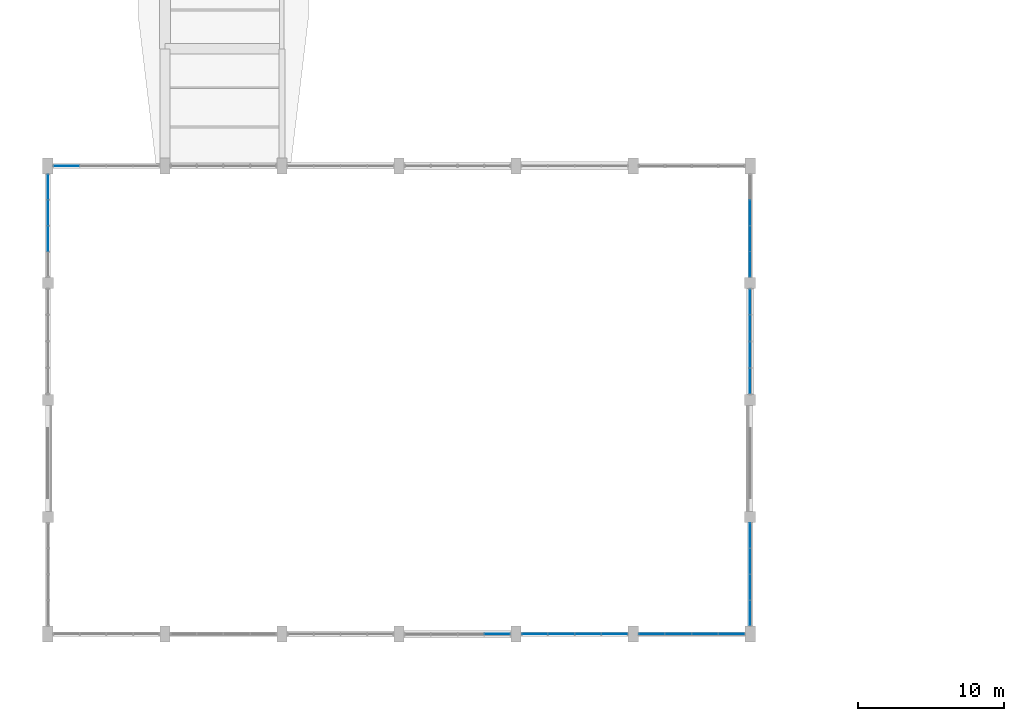
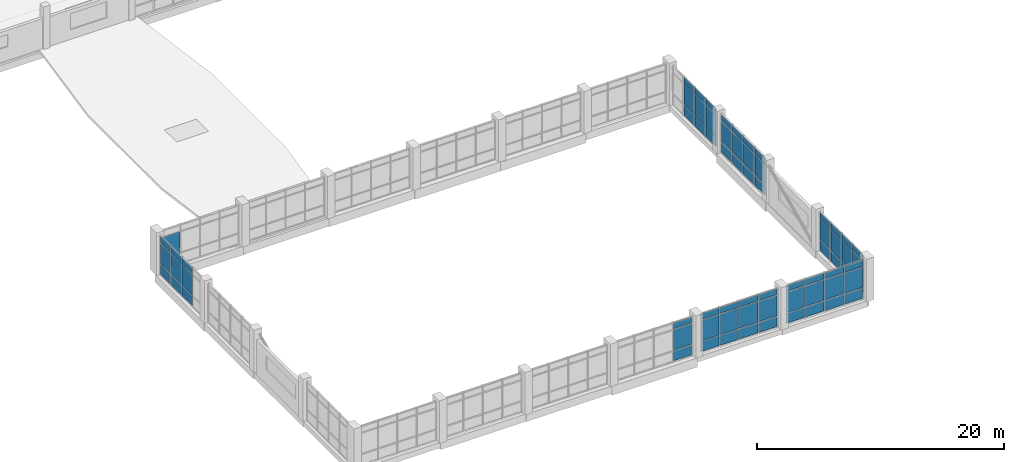
# One storey, part 48 of 72: 71 plates, 8 elements without a shape of their own.
"""IFC4 building model written with IfcOpenShell, lengths in metres."""

from ifc_helpers import new_model, si_unit, direction, frame, origin, origin_2d, place, context, subcontext, project, spatial, rectangle, extrude, material, layer, layer_set, type_object, element, aggregate, save


model = new_model("IFC4")

# Units and contexts
model_context = context("Model", 3, precision=1e-05, world=origin(), true_north=direction((0.0, 1.0)))
body_context = subcontext(model_context, "Body", "Model", "MODEL_VIEW")
ifc_project = project(units=[si_unit("LENGTHUNIT", "METRE"), si_unit("AREAUNIT", "SQUARE_METRE"), si_unit("VOLUMEUNIT", "CUBIC_METRE"), si_unit("PLANEANGLEUNIT", "RADIAN"), si_unit("MASSUNIT", "GRAM", prefix="KILO")], contexts=[model_context])

# Site, building, storey
site_placement = place(None, origin())
site = spatial("IfcSite", under=ifc_project, at=site_placement, CompositionType="ELEMENT")
building_placement = place(site_placement, origin())
building = spatial("IfcBuilding", under=site, at=building_placement, Name="Tenunan Teduh Sports Hall", CompositionType="ELEMENT")
storey_placement = place(building_placement, frame((0.0, 0.0, 15.0)))
storey = spatial("IfcBuildingStorey", under=building, at=storey_placement, Name="L03", CompositionType="ELEMENT", Elevation=15.0)

# Curtain wall, plates
ifc_material_1 = material(Name="Anodised aluminium", Category="aluminium")
curtain_wall_type = type_object("IfcCurtainWallType", Name="CW-UNIT-2", PredefinedType="NOTDEFINED", material=ifc_material_1)
curtain_wall_1_placement = place(storey_placement, origin())
curtain_wall_1 = element("IfcCurtainWall", 1, at=curtain_wall_1_placement, inside=storey, type_object=curtain_wall_type, Name="CW-CWM-200-L03-080", PredefinedType="NOTDEFINED")
ifc_material_2 = material(Name="Low-E laminated double glazing", Category="glass")
ifc_layer_1 = layer(ifc_material_2, 0.028076171875)
ifc_layer_set_1 = layer_set([ifc_layer_1], Name="Low-E laminated double glazing")
plate_type_1 = type_object("IfcPlateType", Name="CWP-GLZ-28", PredefinedType="CURTAIN_PANEL", material=ifc_layer_set_1)
plate_1_placement = place(storey_placement, frame((36.719970703125, 14.0, 1.134765625), z_axis=(0.0, 0.0, 1.0), x_axis=(1.0, 0.0, 0.0)))
plate_1 = element("IfcPlate", 2, at=plate_1_placement, type_object=plate_type_1, Name="CW-02 panel 4.2", PredefinedType="CURTAIN_PANEL", context=body_context, shape_type="SweptSolid", body=[
    extrude(rectangle(XDim=1.719970703125, YDim=0.028076171875, at=origin_2d()), origin(), (0.0, 0.0, 1.0), 2.030029296875),
])
plate_2_placement = place(storey_placement, frame((36.719970703125, 14.0, 3.23486328125), z_axis=(0.0, 0.0, 1.0), x_axis=(1.0, 0.0, 0.0)))
plate_2 = element("IfcPlate", 3, at=plate_2_placement, type_object=plate_type_1, Name="CW-02 panel 4.3", PredefinedType="CURTAIN_PANEL", context=body_context, shape_type="SweptSolid", body=[
    extrude(rectangle(XDim=1.719970703125, YDim=0.028076171875, at=origin_2d()), origin(), (0.0, 0.0, 1.0), 0.594970703125),
])

curtain_wall_2_placement = place(storey_placement, origin())
curtain_wall_2 = element("IfcCurtainWall", 4, at=curtain_wall_2_placement, inside=storey, type_object=curtain_wall_type, Name="CW-CWM-175-L03-082", PredefinedType="NOTDEFINED")
plate_3_placement = place(storey_placement, frame((39.27880859375, 14.0, 1.13232421875), z_axis=(0.0, 0.0, 1.0), x_axis=(1.0, 0.0, 0.0)))
plate_3 = element("IfcPlate", 5, at=plate_3_placement, type_object=plate_type_1, Name="CW-02 panel 1.2", PredefinedType="CURTAIN_PANEL", context=body_context, shape_type="SweptSolid", body=[
    extrude(rectangle(XDim=1.7275390625, YDim=0.028076171875, at=origin_2d()), origin(), (0.0, 0.0, 1.0), 2.034912109375),
])
plate_4_placement = place(storey_placement, frame((39.27880859375, 14.0, 3.232421875), z_axis=(0.0, 0.0, 1.0), x_axis=(1.0, 0.0, 0.0)))
plate_4 = element("IfcPlate", 6, at=plate_4_placement, type_object=plate_type_1, Name="CW-02 panel 1.3", PredefinedType="CURTAIN_PANEL", context=body_context, shape_type="SweptSolid", body=[
    extrude(rectangle(XDim=1.7275390625, YDim=0.028076171875, at=origin_2d()), origin(), (0.0, 0.0, 1.0), 0.6025390625),
])
plate_5_placement = place(storey_placement, frame((41.08740234375, 14.0, 1.13232421875), z_axis=(0.0, 0.0, 1.0), x_axis=(1.0, 0.0, 0.0)))
plate_5 = element("IfcPlate", 7, at=plate_5_placement, type_object=plate_type_1, Name="CW-02 panel 2.2", PredefinedType="CURTAIN_PANEL", context=body_context, shape_type="SweptSolid", body=[
    extrude(rectangle(XDim=1.760009765625, YDim=0.028076171875, at=origin_2d()), origin(), (0.0, 0.0, 1.0), 2.034912109375),
])
plate_6_placement = place(storey_placement, frame((41.08740234375, 14.0, 3.232421875), z_axis=(0.0, 0.0, 1.0), x_axis=(1.0, 0.0, 0.0)))
plate_6 = element("IfcPlate", 8, at=plate_6_placement, type_object=plate_type_1, Name="CW-02 panel 2.3", PredefinedType="CURTAIN_PANEL", context=body_context, shape_type="SweptSolid", body=[
    extrude(rectangle(XDim=1.760009765625, YDim=0.028076171875, at=origin_2d()), origin(), (0.0, 0.0, 1.0), 0.6025390625),
])
plate_7_placement = place(storey_placement, frame((42.91259765625, 14.0, 1.13232421875), z_axis=(0.0, 0.0, 1.0), x_axis=(1.0, 0.0, 0.0)))
plate_7 = element("IfcPlate", 9, at=plate_7_placement, type_object=plate_type_1, Name="CW-02 panel 3.2", PredefinedType="CURTAIN_PANEL", context=body_context, shape_type="SweptSolid", body=[
    extrude(rectangle(XDim=1.760009765625, YDim=0.028076171875, at=origin_2d()), origin(), (0.0, 0.0, 1.0), 2.034912109375),
])
plate_8_placement = place(storey_placement, frame((42.91259765625, 14.0, 3.232421875), z_axis=(0.0, 0.0, 1.0), x_axis=(1.0, 0.0, 0.0)))
plate_8 = element("IfcPlate", 10, at=plate_8_placement, type_object=plate_type_1, Name="CW-02 panel 3.3", PredefinedType="CURTAIN_PANEL", context=body_context, shape_type="SweptSolid", body=[
    extrude(rectangle(XDim=1.760009765625, YDim=0.028076171875, at=origin_2d()), origin(), (0.0, 0.0, 1.0), 0.6025390625),
])
plate_9_placement = place(storey_placement, frame((44.72119140625, 14.0, 1.13232421875), z_axis=(0.0, 0.0, 1.0), x_axis=(1.0, 0.0, 0.0)))
plate_9 = element("IfcPlate", 11, at=plate_9_placement, type_object=plate_type_1, Name="CW-02 panel 4.2", PredefinedType="CURTAIN_PANEL", context=body_context, shape_type="SweptSolid", body=[
    extrude(rectangle(XDim=1.7275390625, YDim=0.028076171875, at=origin_2d()), origin(), (0.0, 0.0, 1.0), 2.034912109375),
])
plate_10_placement = place(storey_placement, frame((44.72119140625, 14.0, 3.232421875), z_axis=(0.0, 0.0, 1.0), x_axis=(1.0, 0.0, 0.0)))
plate_10 = element("IfcPlate", 12, at=plate_10_placement, type_object=plate_type_1, Name="CW-02 panel 4.3", PredefinedType="CURTAIN_PANEL", context=body_context, shape_type="SweptSolid", body=[
    extrude(rectangle(XDim=1.7275390625, YDim=0.028076171875, at=origin_2d()), origin(), (0.0, 0.0, 1.0), 0.6025390625),
])

curtain_wall_3_placement = place(storey_placement, origin())
curtain_wall_3 = element("IfcCurtainWall", 13, at=curtain_wall_3_placement, inside=storey, type_object=curtain_wall_type, Name="CW-CWM-200-L03-084", PredefinedType="NOTDEFINED")
plate_11_placement = place(storey_placement, frame((47.280029296875, 14.0, 1.134765625), z_axis=(0.0, 0.0, 1.0), x_axis=(1.0, 0.0, 0.0)))
plate_11 = element("IfcPlate", 14, at=plate_11_placement, type_object=plate_type_1, Name="CW-02 panel 1.2", PredefinedType="CURTAIN_PANEL", context=body_context, shape_type="SweptSolid", body=[
    extrude(rectangle(XDim=1.719970703125, YDim=0.028076171875, at=origin_2d()), origin(), (0.0, 0.0, 1.0), 2.030029296875),
])
plate_12_placement = place(storey_placement, frame((47.280029296875, 14.0, 3.23486328125), z_axis=(0.0, 0.0, 1.0), x_axis=(1.0, 0.0, 0.0)))
plate_12 = element("IfcPlate", 15, at=plate_12_placement, type_object=plate_type_1, Name="CW-02 panel 1.3", PredefinedType="CURTAIN_PANEL", context=body_context, shape_type="SweptSolid", body=[
    extrude(rectangle(XDim=1.719970703125, YDim=0.028076171875, at=origin_2d()), origin(), (0.0, 0.0, 1.0), 0.594970703125),
])
plate_13_placement = place(storey_placement, frame((49.08740234375, 14.0, 1.134765625), z_axis=(0.0, 0.0, 1.0), x_axis=(1.0, 0.0, 0.0)))
plate_13 = element("IfcPlate", 16, at=plate_13_placement, type_object=plate_type_1, Name="CW-02 panel 2.2", PredefinedType="CURTAIN_PANEL", context=body_context, shape_type="SweptSolid", body=[
    extrude(rectangle(XDim=1.7548828125, YDim=0.028076171875, at=origin_2d()), origin(), (0.0, 0.0, 1.0), 2.030029296875),
])
plate_14_placement = place(storey_placement, frame((49.08740234375, 14.0, 3.23486328125), z_axis=(0.0, 0.0, 1.0), x_axis=(1.0, 0.0, 0.0)))
plate_14 = element("IfcPlate", 17, at=plate_14_placement, type_object=plate_type_1, Name="CW-02 panel 2.3", PredefinedType="CURTAIN_PANEL", context=body_context, shape_type="SweptSolid", body=[
    extrude(rectangle(XDim=1.7548828125, YDim=0.028076171875, at=origin_2d()), origin(), (0.0, 0.0, 1.0), 0.594970703125),
])
plate_15_placement = place(storey_placement, frame((50.91259765625, 14.0, 1.134765625), z_axis=(0.0, 0.0, 1.0), x_axis=(1.0, 0.0, 0.0)))
plate_15 = element("IfcPlate", 18, at=plate_15_placement, type_object=plate_type_1, Name="CW-02 panel 3.2", PredefinedType="CURTAIN_PANEL", context=body_context, shape_type="SweptSolid", body=[
    extrude(rectangle(XDim=1.7548828125, YDim=0.028076171875, at=origin_2d()), origin(), (0.0, 0.0, 1.0), 2.030029296875),
])
plate_16_placement = place(storey_placement, frame((50.91259765625, 14.0, 3.23486328125), z_axis=(0.0, 0.0, 1.0), x_axis=(1.0, 0.0, 0.0)))
plate_16 = element("IfcPlate", 19, at=plate_16_placement, type_object=plate_type_1, Name="CW-02 panel 3.3", PredefinedType="CURTAIN_PANEL", context=body_context, shape_type="SweptSolid", body=[
    extrude(rectangle(XDim=1.7548828125, YDim=0.028076171875, at=origin_2d()), origin(), (0.0, 0.0, 1.0), 0.594970703125),
])
plate_17_placement = place(storey_placement, frame((52.719970703125, 14.0, 1.134765625), z_axis=(0.0, 0.0, 1.0), x_axis=(1.0, 0.0, 0.0)))
plate_17 = element("IfcPlate", 20, at=plate_17_placement, type_object=plate_type_1, Name="CW-02 panel 4.2", PredefinedType="CURTAIN_PANEL", context=body_context, shape_type="SweptSolid", body=[
    extrude(rectangle(XDim=1.719970703125, YDim=0.028076171875, at=origin_2d()), origin(), (0.0, 0.0, 1.0), 2.030029296875),
])
plate_18_placement = place(storey_placement, frame((52.719970703125, 14.0, 3.23486328125), z_axis=(0.0, 0.0, 1.0), x_axis=(1.0, 0.0, 0.0)))
plate_18 = element("IfcPlate", 21, at=plate_18_placement, type_object=plate_type_1, Name="CW-02 panel 4.3", PredefinedType="CURTAIN_PANEL", context=body_context, shape_type="SweptSolid", body=[
    extrude(rectangle(XDim=1.719970703125, YDim=0.028076171875, at=origin_2d()), origin(), (0.0, 0.0, 1.0), 0.594970703125),
])

curtain_wall_4_placement = place(storey_placement, origin())
curtain_wall_4 = element("IfcCurtainWall", 22, at=curtain_wall_4_placement, inside=storey, type_object=curtain_wall_type, Name="CW-CWM-175-L03-090", PredefinedType="NOTDEFINED")
plate_19_placement = place(storey_placement, frame((6.0, 41.028076171875, 1.13232421875), z_axis=(0.0, 0.0, 1.0), x_axis=(0.0, 1.0, 0.0)))
plate_19 = element("IfcPlate", 23, at=plate_19_placement, type_object=plate_type_1, Name="CW-02 panel 2.2", PredefinedType="CURTAIN_PANEL", context=body_context, shape_type="SweptSolid", body=[
    extrude(rectangle(XDim=1.703857421875, YDim=0.028076171875, at=origin_2d()), origin(), (0.0, 0.0, 1.0), 2.034912109375),
])
plate_20_placement = place(storey_placement, frame((6.0, 41.028076171875, 3.232421875), z_axis=(0.0, 0.0, 1.0), x_axis=(0.0, 1.0, 0.0)))
plate_20 = element("IfcPlate", 24, at=plate_20_placement, type_object=plate_type_1, Name="CW-02 panel 2.3", PredefinedType="CURTAIN_PANEL", context=body_context, shape_type="SweptSolid", body=[
    extrude(rectangle(XDim=1.703857421875, YDim=0.028076171875, at=origin_2d()), origin(), (0.0, 0.0, 1.0), 0.6025390625),
])
plate_21_placement = place(storey_placement, frame((6.0, 42.796875, 1.13232421875), z_axis=(0.0, 0.0, 1.0), x_axis=(0.0, 1.0, 0.0)))
plate_21 = element("IfcPlate", 25, at=plate_21_placement, type_object=plate_type_1, Name="CW-02 panel 3.2", PredefinedType="CURTAIN_PANEL", context=body_context, shape_type="SweptSolid", body=[
    extrude(rectangle(XDim=1.703857421875, YDim=0.028076171875, at=origin_2d()), origin(), (0.0, 0.0, 1.0), 2.034912109375),
])
plate_22_placement = place(storey_placement, frame((6.0, 42.796875, 3.232421875), z_axis=(0.0, 0.0, 1.0), x_axis=(0.0, 1.0, 0.0)))
plate_22 = element("IfcPlate", 26, at=plate_22_placement, type_object=plate_type_1, Name="CW-02 panel 3.3", PredefinedType="CURTAIN_PANEL", context=body_context, shape_type="SweptSolid", body=[
    extrude(rectangle(XDim=1.703857421875, YDim=0.028076171875, at=origin_2d()), origin(), (0.0, 0.0, 1.0), 0.6025390625),
])
plate_23_placement = place(storey_placement, frame((6.0, 44.54931640625, 1.13232421875), z_axis=(0.0, 0.0, 1.0), x_axis=(0.0, 1.0, 0.0)))
plate_23 = element("IfcPlate", 27, at=plate_23_placement, type_object=plate_type_1, Name="CW-02 panel 4.2", PredefinedType="CURTAIN_PANEL", context=body_context, shape_type="SweptSolid", body=[
    extrude(rectangle(XDim=1.671142578125, YDim=0.028076171875, at=origin_2d()), origin(), (0.0, 0.0, 1.0), 2.034912109375),
])
plate_24_placement = place(storey_placement, frame((6.0, 44.54931640625, 3.232421875), z_axis=(0.0, 0.0, 1.0), x_axis=(0.0, 1.0, 0.0)))
plate_24 = element("IfcPlate", 28, at=plate_24_placement, type_object=plate_type_1, Name="CW-02 panel 4.3", PredefinedType="CURTAIN_PANEL", context=body_context, shape_type="SweptSolid", body=[
    extrude(rectangle(XDim=1.671142578125, YDim=0.028076171875, at=origin_2d()), origin(), (0.0, 0.0, 1.0), 0.6025390625),
])

# Curtain wall, plate
curtain_wall_5_placement = place(storey_placement, origin())
curtain_wall_5 = element("IfcCurtainWall", 29, at=curtain_wall_5_placement, inside=storey, type_object=curtain_wall_type, Name="CW-CWM-150-L03-075", PredefinedType="NOTDEFINED")
ifc_material_3 = material(Name="Solar-control laminated glazing", Category="glass")
ifc_layer_2 = layer(ifc_material_3, 0.031982421875)
ifc_layer_set_2 = layer_set([ifc_layer_2], Name="Solar-control laminated glazing")
plate_type_2 = type_object("IfcPlateType", Name="CWP-GLZ-32", PredefinedType="CURTAIN_PANEL", material=ifc_layer_set_2)
plate_25_placement = place(storey_placement, frame((7.277587890625, 46.0, 1.1298828125), z_axis=(0.0, 0.0, 1.0), x_axis=(1.0, 0.0, 0.0)))
plate_25 = element("IfcPlate", 30, at=plate_25_placement, type_object=plate_type_2, Name="CW-02 panel 1.2", PredefinedType="CURTAIN_PANEL", context=body_context, shape_type="SweptSolid", body=[
    extrude(rectangle(XDim=1.735107421875, YDim=0.031982421875, at=origin_2d()), origin(), (0.0, 0.0, 1.0), 2.0400390625),
])

# Curtain wall, plates
curtain_wall_6_placement = place(storey_placement, origin())
curtain_wall_6 = element("IfcCurtainWall", 31, at=curtain_wall_6_placement, inside=storey, type_object=curtain_wall_type, Name="CW-CWM-150-L03-087", PredefinedType="NOTDEFINED")
plate_26_placement = place(storey_placement, frame((54.0, 15.449462890625, 1.1298828125), z_axis=(0.0, 0.0, 1.0), x_axis=(0.0, 1.0, 0.0)))
plate_26 = element("IfcPlate", 32, at=plate_26_placement, type_object=plate_type_2, Name="CW-02 panel 1.2", PredefinedType="CURTAIN_PANEL", context=body_context, shape_type="SweptSolid", body=[
    extrude(rectangle(XDim=1.6787109375, YDim=0.031982421875, at=origin_2d()), origin(), (0.0, 0.0, 1.0), 2.0400390625),
])
plate_27_placement = place(storey_placement, frame((54.0, 15.449462890625, 3.22998046875), z_axis=(0.0, 0.0, 1.0), x_axis=(0.0, 1.0, 0.0)))
plate_27 = element("IfcPlate", 33, at=plate_27_placement, type_object=plate_type_2, Name="CW-02 panel 1.3", PredefinedType="CURTAIN_PANEL", context=body_context, shape_type="SweptSolid", body=[
    extrude(rectangle(XDim=1.6787109375, YDim=0.031982421875, at=origin_2d()), origin(), (0.0, 0.0, 1.0), 0.610107421875),
])
plate_28_placement = place(storey_placement, frame((54.0, 17.203125, 1.1298828125), z_axis=(0.0, 0.0, 1.0), x_axis=(0.0, 1.0, 0.0)))
plate_28 = element("IfcPlate", 34, at=plate_28_placement, type_object=plate_type_2, Name="CW-02 panel 2.2", PredefinedType="CURTAIN_PANEL", context=body_context, shape_type="SweptSolid", body=[
    extrude(rectangle(XDim=1.708740234375, YDim=0.031982421875, at=origin_2d()), origin(), (0.0, 0.0, 1.0), 2.0400390625),
])
plate_29_placement = place(storey_placement, frame((54.0, 17.203125, 3.22998046875), z_axis=(0.0, 0.0, 1.0), x_axis=(0.0, 1.0, 0.0)))
plate_29 = element("IfcPlate", 35, at=plate_29_placement, type_object=plate_type_2, Name="CW-02 panel 2.3", PredefinedType="CURTAIN_PANEL", context=body_context, shape_type="SweptSolid", body=[
    extrude(rectangle(XDim=1.708740234375, YDim=0.031982421875, at=origin_2d()), origin(), (0.0, 0.0, 1.0), 0.610107421875),
])
plate_30_placement = place(storey_placement, frame((54.0, 18.971923828125, 1.1298828125), z_axis=(0.0, 0.0, 1.0), x_axis=(0.0, 1.0, 0.0)))
plate_30 = element("IfcPlate", 36, at=plate_30_placement, type_object=plate_type_2, Name="CW-02 panel 3.2", PredefinedType="CURTAIN_PANEL", context=body_context, shape_type="SweptSolid", body=[
    extrude(rectangle(XDim=1.708740234375, YDim=0.031982421875, at=origin_2d()), origin(), (0.0, 0.0, 1.0), 2.0400390625),
])
plate_31_placement = place(storey_placement, frame((54.0, 18.971923828125, 3.22998046875), z_axis=(0.0, 0.0, 1.0), x_axis=(0.0, 1.0, 0.0)))
plate_31 = element("IfcPlate", 37, at=plate_31_placement, type_object=plate_type_2, Name="CW-02 panel 3.3", PredefinedType="CURTAIN_PANEL", context=body_context, shape_type="SweptSolid", body=[
    extrude(rectangle(XDim=1.708740234375, YDim=0.031982421875, at=origin_2d()), origin(), (0.0, 0.0, 1.0), 0.610107421875),
])
plate_32_placement = place(storey_placement, frame((54.0, 20.7255859375, 1.1298828125), z_axis=(0.0, 0.0, 1.0), x_axis=(0.0, 1.0, 0.0)))
plate_32 = element("IfcPlate", 38, at=plate_32_placement, type_object=plate_type_2, Name="CW-02 panel 4.2", PredefinedType="CURTAIN_PANEL", context=body_context, shape_type="SweptSolid", body=[
    extrude(rectangle(XDim=1.6787109375, YDim=0.031982421875, at=origin_2d()), origin(), (0.0, 0.0, 1.0), 2.0400390625),
])
plate_33_placement = place(storey_placement, frame((54.0, 20.7255859375, 3.22998046875), z_axis=(0.0, 0.0, 1.0), x_axis=(0.0, 1.0, 0.0)))
plate_33 = element("IfcPlate", 39, at=plate_33_placement, type_object=plate_type_2, Name="CW-02 panel 4.3", PredefinedType="CURTAIN_PANEL", context=body_context, shape_type="SweptSolid", body=[
    extrude(rectangle(XDim=1.6787109375, YDim=0.031982421875, at=origin_2d()), origin(), (0.0, 0.0, 1.0), 0.610107421875),
])

curtain_wall_7_placement = place(storey_placement, origin())
curtain_wall_7 = element("IfcCurtainWall", 40, at=curtain_wall_7_placement, inside=storey, type_object=curtain_wall_type, Name="CW-CWM-220-L03-089", PredefinedType="NOTDEFINED")
plate_34_placement = place(storey_placement, frame((54.0, 31.300048828125, 1.137451171875), z_axis=(0.0, 0.0, 1.0), x_axis=(0.0, 1.0, 0.0)))
plate_34 = element("IfcPlate", 41, at=plate_34_placement, type_object=plate_type_2, Name="CW-02 panel 1.2", PredefinedType="CURTAIN_PANEL", context=body_context, shape_type="SweptSolid", body=[
    extrude(rectangle(XDim=1.699951171875, YDim=0.031982421875, at=origin_2d()), origin(), (0.0, 0.0, 1.0), 2.02490234375),
])
plate_35_placement = place(storey_placement, frame((54.0, 31.300048828125, 3.237548828125), z_axis=(0.0, 0.0, 1.0), x_axis=(0.0, 1.0, 0.0)))
plate_35 = element("IfcPlate", 42, at=plate_35_placement, type_object=plate_type_2, Name="CW-02 panel 1.3", PredefinedType="CURTAIN_PANEL", context=body_context, shape_type="SweptSolid", body=[
    extrude(rectangle(XDim=1.699951171875, YDim=0.031982421875, at=origin_2d()), origin(), (0.0, 0.0, 1.0), 0.58740234375),
])
plate_36_placement = place(storey_placement, frame((54.0, 33.09375, 1.137451171875), z_axis=(0.0, 0.0, 1.0), x_axis=(0.0, 1.0, 0.0)))
plate_36 = element("IfcPlate", 43, at=plate_36_placement, type_object=plate_type_2, Name="CW-02 panel 2.2", PredefinedType="CURTAIN_PANEL", context=body_context, shape_type="SweptSolid", body=[
    extrude(rectangle(XDim=1.737548828125, YDim=0.031982421875, at=origin_2d()), origin(), (0.0, 0.0, 1.0), 2.02490234375),
])
plate_37_placement = place(storey_placement, frame((54.0, 33.09375, 3.237548828125), z_axis=(0.0, 0.0, 1.0), x_axis=(0.0, 1.0, 0.0)))
plate_37 = element("IfcPlate", 44, at=plate_37_placement, type_object=plate_type_2, Name="CW-02 panel 2.3", PredefinedType="CURTAIN_PANEL", context=body_context, shape_type="SweptSolid", body=[
    extrude(rectangle(XDim=1.737548828125, YDim=0.031982421875, at=origin_2d()), origin(), (0.0, 0.0, 1.0), 0.58740234375),
])
plate_38_placement = place(storey_placement, frame((54.0, 34.90625, 1.137451171875), z_axis=(0.0, 0.0, 1.0), x_axis=(0.0, 1.0, 0.0)))
plate_38 = element("IfcPlate", 45, at=plate_38_placement, type_object=plate_type_2, Name="CW-02 panel 3.2", PredefinedType="CURTAIN_PANEL", context=body_context, shape_type="SweptSolid", body=[
    extrude(rectangle(XDim=1.737548828125, YDim=0.031982421875, at=origin_2d()), origin(), (0.0, 0.0, 1.0), 2.02490234375),
])
plate_39_placement = place(storey_placement, frame((54.0, 34.90625, 3.237548828125), z_axis=(0.0, 0.0, 1.0), x_axis=(0.0, 1.0, 0.0)))
plate_39 = element("IfcPlate", 46, at=plate_39_placement, type_object=plate_type_2, Name="CW-02 panel 3.3", PredefinedType="CURTAIN_PANEL", context=body_context, shape_type="SweptSolid", body=[
    extrude(rectangle(XDim=1.737548828125, YDim=0.031982421875, at=origin_2d()), origin(), (0.0, 0.0, 1.0), 0.58740234375),
])
plate_40_placement = place(storey_placement, frame((54.0, 36.699951171875, 1.137451171875), z_axis=(0.0, 0.0, 1.0), x_axis=(0.0, 1.0, 0.0)))
plate_40 = element("IfcPlate", 47, at=plate_40_placement, type_object=plate_type_2, Name="CW-02 panel 4.2", PredefinedType="CURTAIN_PANEL", context=body_context, shape_type="SweptSolid", body=[
    extrude(rectangle(XDim=1.699951171875, YDim=0.031982421875, at=origin_2d()), origin(), (0.0, 0.0, 1.0), 2.02490234375),
])
plate_41_placement = place(storey_placement, frame((54.0, 36.699951171875, 3.237548828125), z_axis=(0.0, 0.0, 1.0), x_axis=(0.0, 1.0, 0.0)))
plate_41 = element("IfcPlate", 48, at=plate_41_placement, type_object=plate_type_2, Name="CW-02 panel 4.3", PredefinedType="CURTAIN_PANEL", context=body_context, shape_type="SweptSolid", body=[
    extrude(rectangle(XDim=1.699951171875, YDim=0.031982421875, at=origin_2d()), origin(), (0.0, 0.0, 1.0), 0.58740234375),
])

curtain_wall_8_placement = place(storey_placement, origin())
curtain_wall_8 = element("IfcCurtainWall", 49, at=curtain_wall_8_placement, inside=storey, type_object=curtain_wall_type, Name="CW-CWM-150-L03-091", PredefinedType="NOTDEFINED")
plate_42_placement = place(storey_placement, frame((54.0, 39.2744140625, 1.1298828125), z_axis=(0.0, 0.0, 1.0), x_axis=(0.0, 1.0, 0.0)))
plate_42 = element("IfcPlate", 50, at=plate_42_placement, type_object=plate_type_2, Name="CW-02 panel 1.2", PredefinedType="CURTAIN_PANEL", context=body_context, shape_type="SweptSolid", body=[
    extrude(rectangle(XDim=1.6787109375, YDim=0.031982421875, at=origin_2d()), origin(), (0.0, 0.0, 1.0), 2.0400390625),
])
plate_43_placement = place(storey_placement, frame((54.0, 39.2744140625, 3.22998046875), z_axis=(0.0, 0.0, 1.0), x_axis=(0.0, 1.0, 0.0)))
plate_43 = element("IfcPlate", 51, at=plate_43_placement, type_object=plate_type_2, Name="CW-02 panel 1.3", PredefinedType="CURTAIN_PANEL", context=body_context, shape_type="SweptSolid", body=[
    extrude(rectangle(XDim=1.6787109375, YDim=0.031982421875, at=origin_2d()), origin(), (0.0, 0.0, 1.0), 0.610107421875),
])
plate_44_placement = place(storey_placement, frame((54.0, 41.028076171875, 1.1298828125), z_axis=(0.0, 0.0, 1.0), x_axis=(0.0, 1.0, 0.0)))
plate_44 = element("IfcPlate", 52, at=plate_44_placement, type_object=plate_type_2, Name="CW-02 panel 2.2", PredefinedType="CURTAIN_PANEL", context=body_context, shape_type="SweptSolid", body=[
    extrude(rectangle(XDim=1.708740234375, YDim=0.031982421875, at=origin_2d()), origin(), (0.0, 0.0, 1.0), 2.0400390625),
])
plate_45_placement = place(storey_placement, frame((54.0, 41.028076171875, 3.22998046875), z_axis=(0.0, 0.0, 1.0), x_axis=(0.0, 1.0, 0.0)))
plate_45 = element("IfcPlate", 53, at=plate_45_placement, type_object=plate_type_2, Name="CW-02 panel 2.3", PredefinedType="CURTAIN_PANEL", context=body_context, shape_type="SweptSolid", body=[
    extrude(rectangle(XDim=1.708740234375, YDim=0.031982421875, at=origin_2d()), origin(), (0.0, 0.0, 1.0), 0.610107421875),
])
plate_46_placement = place(storey_placement, frame((54.0, 42.796875, 1.1298828125), z_axis=(0.0, 0.0, 1.0), x_axis=(0.0, 1.0, 0.0)))
plate_46 = element("IfcPlate", 54, at=plate_46_placement, type_object=plate_type_2, Name="CW-02 panel 3.2", PredefinedType="CURTAIN_PANEL", context=body_context, shape_type="SweptSolid", body=[
    extrude(rectangle(XDim=1.708740234375, YDim=0.031982421875, at=origin_2d()), origin(), (0.0, 0.0, 1.0), 2.0400390625),
])
plate_47_placement = place(storey_placement, frame((54.0, 42.796875, 3.22998046875), z_axis=(0.0, 0.0, 1.0), x_axis=(0.0, 1.0, 0.0)))
plate_47 = element("IfcPlate", 55, at=plate_47_placement, type_object=plate_type_2, Name="CW-02 panel 3.3", PredefinedType="CURTAIN_PANEL", context=body_context, shape_type="SweptSolid", body=[
    extrude(rectangle(XDim=1.708740234375, YDim=0.031982421875, at=origin_2d()), origin(), (0.0, 0.0, 1.0), 0.610107421875),
])

# Plate
ifc_material_4 = material(Name="Insulated aluminium spandrel panel", Category="aluminium")
ifc_layer_3 = layer(ifc_material_4, 0.044921875)
ifc_layer_set_3 = layer_set([ifc_layer_3], Name="Insulated aluminium spandrel panel")
plate_type_3 = type_object("IfcPlateType", Name="CWP-SPN-45", PredefinedType="CURTAIN_PANEL", material=ifc_layer_set_3)
plate_48_placement = place(storey_placement, frame((7.277587890625, 46.0, 0.06005859375), z_axis=(0.0, 0.0, 1.0), x_axis=(1.0, 0.0, 0.0)))
plate_48 = element("IfcPlate", 56, at=plate_48_placement, type_object=plate_type_3, Name="CW-02 panel 1.1", PredefinedType="CURTAIN_PANEL", context=body_context, shape_type="SweptSolid", body=[
    extrude(rectangle(XDim=1.735107421875, YDim=0.031982421875, at=origin_2d()), origin(), (0.0, 0.0, 1.0), 1.010009765625),
])

aggregate(curtain_wall_5, [plate_48, plate_25])

plate_49_placement = place(storey_placement, frame((36.719970703125, 14.0, 0.06982421875), z_axis=(0.0, 0.0, 1.0), x_axis=(1.0, 0.0, 0.0)))
plate_49 = element("IfcPlate", 57, at=plate_49_placement, type_object=plate_type_3, Name="CW-02 panel 4.1", PredefinedType="CURTAIN_PANEL", context=body_context, shape_type="SweptSolid", body=[
    extrude(rectangle(XDim=1.719970703125, YDim=0.028076171875, at=origin_2d()), origin(), (0.0, 0.0, 1.0), 0.9951171875),
])

aggregate(curtain_wall_1, [plate_49, plate_1, plate_2])

plate_50_placement = place(storey_placement, frame((39.27880859375, 14.0, 0.06494140625), z_axis=(0.0, 0.0, 1.0), x_axis=(1.0, 0.0, 0.0)))
plate_50 = element("IfcPlate", 58, at=plate_50_placement, type_object=plate_type_3, Name="CW-02 panel 1.1", PredefinedType="CURTAIN_PANEL", context=body_context, shape_type="SweptSolid", body=[
    extrude(rectangle(XDim=1.7275390625, YDim=0.028076171875, at=origin_2d()), origin(), (0.0, 0.0, 1.0), 1.00244140625),
])

plate_51_placement = place(storey_placement, frame((41.08740234375, 14.0, 0.06494140625), z_axis=(0.0, 0.0, 1.0), x_axis=(1.0, 0.0, 0.0)))
plate_51 = element("IfcPlate", 59, at=plate_51_placement, type_object=plate_type_3, Name="CW-02 panel 2.1", PredefinedType="CURTAIN_PANEL", context=body_context, shape_type="SweptSolid", body=[
    extrude(rectangle(XDim=1.760009765625, YDim=0.028076171875, at=origin_2d()), origin(), (0.0, 0.0, 1.0), 1.00244140625),
])

plate_52_placement = place(storey_placement, frame((42.91259765625, 14.0, 0.06494140625), z_axis=(0.0, 0.0, 1.0), x_axis=(1.0, 0.0, 0.0)))
plate_52 = element("IfcPlate", 60, at=plate_52_placement, type_object=plate_type_3, Name="CW-02 panel 3.1", PredefinedType="CURTAIN_PANEL", context=body_context, shape_type="SweptSolid", body=[
    extrude(rectangle(XDim=1.760009765625, YDim=0.028076171875, at=origin_2d()), origin(), (0.0, 0.0, 1.0), 1.00244140625),
])

plate_53_placement = place(storey_placement, frame((44.72119140625, 14.0, 0.06494140625), z_axis=(0.0, 0.0, 1.0), x_axis=(1.0, 0.0, 0.0)))
plate_53 = element("IfcPlate", 61, at=plate_53_placement, type_object=plate_type_3, Name="CW-02 panel 4.1", PredefinedType="CURTAIN_PANEL", context=body_context, shape_type="SweptSolid", body=[
    extrude(rectangle(XDim=1.7275390625, YDim=0.028076171875, at=origin_2d()), origin(), (0.0, 0.0, 1.0), 1.00244140625),
])

aggregate(curtain_wall_2, [plate_50, plate_3, plate_4, plate_51, plate_5, plate_6, plate_52, plate_7, plate_8, plate_53, plate_9, plate_10])

plate_54_placement = place(storey_placement, frame((47.280029296875, 14.0, 0.06982421875), z_axis=(0.0, 0.0, 1.0), x_axis=(1.0, 0.0, 0.0)))
plate_54 = element("IfcPlate", 62, at=plate_54_placement, type_object=plate_type_3, Name="CW-02 panel 1.1", PredefinedType="CURTAIN_PANEL", context=body_context, shape_type="SweptSolid", body=[
    extrude(rectangle(XDim=1.719970703125, YDim=0.028076171875, at=origin_2d()), origin(), (0.0, 0.0, 1.0), 0.9951171875),
])

plate_55_placement = place(storey_placement, frame((49.08740234375, 14.0, 0.06982421875), z_axis=(0.0, 0.0, 1.0), x_axis=(1.0, 0.0, 0.0)))
plate_55 = element("IfcPlate", 63, at=plate_55_placement, type_object=plate_type_3, Name="CW-02 panel 2.1", PredefinedType="CURTAIN_PANEL", context=body_context, shape_type="SweptSolid", body=[
    extrude(rectangle(XDim=1.7548828125, YDim=0.028076171875, at=origin_2d()), origin(), (0.0, 0.0, 1.0), 0.9951171875),
])

plate_56_placement = place(storey_placement, frame((50.91259765625, 14.0, 0.06982421875), z_axis=(0.0, 0.0, 1.0), x_axis=(1.0, 0.0, 0.0)))
plate_56 = element("IfcPlate", 64, at=plate_56_placement, type_object=plate_type_3, Name="CW-02 panel 3.1", PredefinedType="CURTAIN_PANEL", context=body_context, shape_type="SweptSolid", body=[
    extrude(rectangle(XDim=1.7548828125, YDim=0.028076171875, at=origin_2d()), origin(), (0.0, 0.0, 1.0), 0.9951171875),
])

plate_57_placement = place(storey_placement, frame((52.719970703125, 14.0, 0.06982421875), z_axis=(0.0, 0.0, 1.0), x_axis=(1.0, 0.0, 0.0)))
plate_57 = element("IfcPlate", 65, at=plate_57_placement, type_object=plate_type_3, Name="CW-02 panel 4.1", PredefinedType="CURTAIN_PANEL", context=body_context, shape_type="SweptSolid", body=[
    extrude(rectangle(XDim=1.719970703125, YDim=0.028076171875, at=origin_2d()), origin(), (0.0, 0.0, 1.0), 0.9951171875),
])

aggregate(curtain_wall_3, [plate_54, plate_11, plate_12, plate_55, plate_13, plate_14, plate_56, plate_15, plate_16, plate_57, plate_17, plate_18])

plate_58_placement = place(storey_placement, frame((54.0, 15.449462890625, 0.06005859375), z_axis=(0.0, 0.0, 1.0), x_axis=(0.0, 1.0, 0.0)))
plate_58 = element("IfcPlate", 66, at=plate_58_placement, type_object=plate_type_3, Name="CW-02 panel 1.1", PredefinedType="CURTAIN_PANEL", context=body_context, shape_type="SweptSolid", body=[
    extrude(rectangle(XDim=1.6787109375, YDim=0.031982421875, at=origin_2d()), origin(), (0.0, 0.0, 1.0), 1.010009765625),
])

plate_59_placement = place(storey_placement, frame((54.0, 17.203125, 0.06005859375), z_axis=(0.0, 0.0, 1.0), x_axis=(0.0, 1.0, 0.0)))
plate_59 = element("IfcPlate", 67, at=plate_59_placement, type_object=plate_type_3, Name="CW-02 panel 2.1", PredefinedType="CURTAIN_PANEL", context=body_context, shape_type="SweptSolid", body=[
    extrude(rectangle(XDim=1.708740234375, YDim=0.031982421875, at=origin_2d()), origin(), (0.0, 0.0, 1.0), 1.010009765625),
])

plate_60_placement = place(storey_placement, frame((54.0, 18.971923828125, 0.06005859375), z_axis=(0.0, 0.0, 1.0), x_axis=(0.0, 1.0, 0.0)))
plate_60 = element("IfcPlate", 68, at=plate_60_placement, type_object=plate_type_3, Name="CW-02 panel 3.1", PredefinedType="CURTAIN_PANEL", context=body_context, shape_type="SweptSolid", body=[
    extrude(rectangle(XDim=1.708740234375, YDim=0.031982421875, at=origin_2d()), origin(), (0.0, 0.0, 1.0), 1.010009765625),
])

plate_61_placement = place(storey_placement, frame((54.0, 20.7255859375, 0.06005859375), z_axis=(0.0, 0.0, 1.0), x_axis=(0.0, 1.0, 0.0)))
plate_61 = element("IfcPlate", 69, at=plate_61_placement, type_object=plate_type_3, Name="CW-02 panel 4.1", PredefinedType="CURTAIN_PANEL", context=body_context, shape_type="SweptSolid", body=[
    extrude(rectangle(XDim=1.6787109375, YDim=0.031982421875, at=origin_2d()), origin(), (0.0, 0.0, 1.0), 1.010009765625),
])

aggregate(curtain_wall_6, [plate_58, plate_26, plate_27, plate_59, plate_28, plate_29, plate_60, plate_30, plate_31, plate_61, plate_32, plate_33])

plate_62_placement = place(storey_placement, frame((54.0, 31.300048828125, 0.0751953125), z_axis=(0.0, 0.0, 1.0), x_axis=(0.0, 1.0, 0.0)))
plate_62 = element("IfcPlate", 70, at=plate_62_placement, type_object=plate_type_3, Name="CW-02 panel 1.1", PredefinedType="CURTAIN_PANEL", context=body_context, shape_type="SweptSolid", body=[
    extrude(rectangle(XDim=1.699951171875, YDim=0.031982421875, at=origin_2d()), origin(), (0.0, 0.0, 1.0), 0.987548828125),
])

plate_63_placement = place(storey_placement, frame((54.0, 33.09375, 0.0751953125), z_axis=(0.0, 0.0, 1.0), x_axis=(0.0, 1.0, 0.0)))
plate_63 = element("IfcPlate", 71, at=plate_63_placement, type_object=plate_type_3, Name="CW-02 panel 2.1", PredefinedType="CURTAIN_PANEL", context=body_context, shape_type="SweptSolid", body=[
    extrude(rectangle(XDim=1.737548828125, YDim=0.031982421875, at=origin_2d()), origin(), (0.0, 0.0, 1.0), 0.987548828125),
])

plate_64_placement = place(storey_placement, frame((54.0, 34.90625, 0.0751953125), z_axis=(0.0, 0.0, 1.0), x_axis=(0.0, 1.0, 0.0)))
plate_64 = element("IfcPlate", 72, at=plate_64_placement, type_object=plate_type_3, Name="CW-02 panel 3.1", PredefinedType="CURTAIN_PANEL", context=body_context, shape_type="SweptSolid", body=[
    extrude(rectangle(XDim=1.737548828125, YDim=0.031982421875, at=origin_2d()), origin(), (0.0, 0.0, 1.0), 0.987548828125),
])

plate_65_placement = place(storey_placement, frame((54.0, 36.699951171875, 0.0751953125), z_axis=(0.0, 0.0, 1.0), x_axis=(0.0, 1.0, 0.0)))
plate_65 = element("IfcPlate", 73, at=plate_65_placement, type_object=plate_type_3, Name="CW-02 panel 4.1", PredefinedType="CURTAIN_PANEL", context=body_context, shape_type="SweptSolid", body=[
    extrude(rectangle(XDim=1.699951171875, YDim=0.031982421875, at=origin_2d()), origin(), (0.0, 0.0, 1.0), 0.987548828125),
])

aggregate(curtain_wall_7, [plate_62, plate_34, plate_35, plate_63, plate_36, plate_37, plate_64, plate_38, plate_39, plate_65, plate_40, plate_41])

plate_66_placement = place(storey_placement, frame((6.0, 41.028076171875, 0.06494140625), z_axis=(0.0, 0.0, 1.0), x_axis=(0.0, 1.0, 0.0)))
plate_66 = element("IfcPlate", 74, at=plate_66_placement, type_object=plate_type_3, Name="CW-02 panel 2.1", PredefinedType="CURTAIN_PANEL", context=body_context, shape_type="SweptSolid", body=[
    extrude(rectangle(XDim=1.703857421875, YDim=0.028076171875, at=origin_2d()), origin(), (0.0, 0.0, 1.0), 1.00244140625),
])

plate_67_placement = place(storey_placement, frame((6.0, 42.796875, 0.06494140625), z_axis=(0.0, 0.0, 1.0), x_axis=(0.0, 1.0, 0.0)))
plate_67 = element("IfcPlate", 75, at=plate_67_placement, type_object=plate_type_3, Name="CW-02 panel 3.1", PredefinedType="CURTAIN_PANEL", context=body_context, shape_type="SweptSolid", body=[
    extrude(rectangle(XDim=1.703857421875, YDim=0.028076171875, at=origin_2d()), origin(), (0.0, 0.0, 1.0), 1.00244140625),
])

plate_68_placement = place(storey_placement, frame((6.0, 44.54931640625, 0.06494140625), z_axis=(0.0, 0.0, 1.0), x_axis=(0.0, 1.0, 0.0)))
plate_68 = element("IfcPlate", 76, at=plate_68_placement, type_object=plate_type_3, Name="CW-02 panel 4.1", PredefinedType="CURTAIN_PANEL", context=body_context, shape_type="SweptSolid", body=[
    extrude(rectangle(XDim=1.671142578125, YDim=0.028076171875, at=origin_2d()), origin(), (0.0, 0.0, 1.0), 1.00244140625),
])

aggregate(curtain_wall_4, [plate_66, plate_19, plate_20, plate_67, plate_21, plate_22, plate_68, plate_23, plate_24])

plate_69_placement = place(storey_placement, frame((54.0, 39.2744140625, 0.06005859375), z_axis=(0.0, 0.0, 1.0), x_axis=(0.0, 1.0, 0.0)))
plate_69 = element("IfcPlate", 77, at=plate_69_placement, type_object=plate_type_3, Name="CW-02 panel 1.1", PredefinedType="CURTAIN_PANEL", context=body_context, shape_type="SweptSolid", body=[
    extrude(rectangle(XDim=1.6787109375, YDim=0.031982421875, at=origin_2d()), origin(), (0.0, 0.0, 1.0), 1.010009765625),
])

plate_70_placement = place(storey_placement, frame((54.0, 41.028076171875, 0.06005859375), z_axis=(0.0, 0.0, 1.0), x_axis=(0.0, 1.0, 0.0)))
plate_70 = element("IfcPlate", 78, at=plate_70_placement, type_object=plate_type_3, Name="CW-02 panel 2.1", PredefinedType="CURTAIN_PANEL", context=body_context, shape_type="SweptSolid", body=[
    extrude(rectangle(XDim=1.708740234375, YDim=0.031982421875, at=origin_2d()), origin(), (0.0, 0.0, 1.0), 1.010009765625),
])

plate_71_placement = place(storey_placement, frame((54.0, 42.796875, 0.06005859375), z_axis=(0.0, 0.0, 1.0), x_axis=(0.0, 1.0, 0.0)))
plate_71 = element("IfcPlate", 79, at=plate_71_placement, type_object=plate_type_3, Name="CW-02 panel 3.1", PredefinedType="CURTAIN_PANEL", context=body_context, shape_type="SweptSolid", body=[
    extrude(rectangle(XDim=1.708740234375, YDim=0.031982421875, at=origin_2d()), origin(), (0.0, 0.0, 1.0), 1.010009765625),
])

aggregate(curtain_wall_8, [plate_69, plate_42, plate_43, plate_70, plate_44, plate_45, plate_71, plate_46, plate_47])

save(model, "model.ifc")
